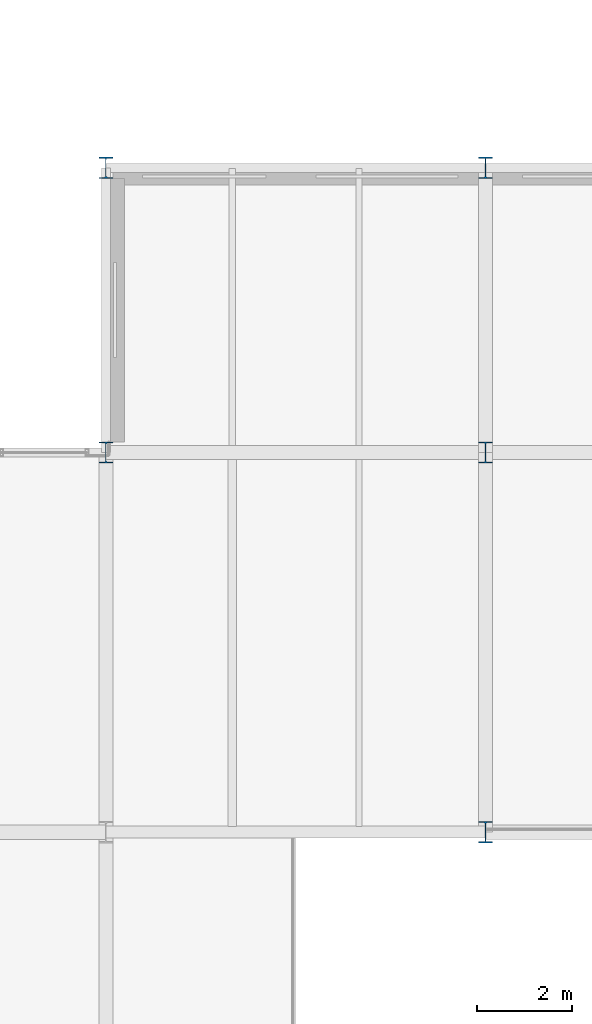
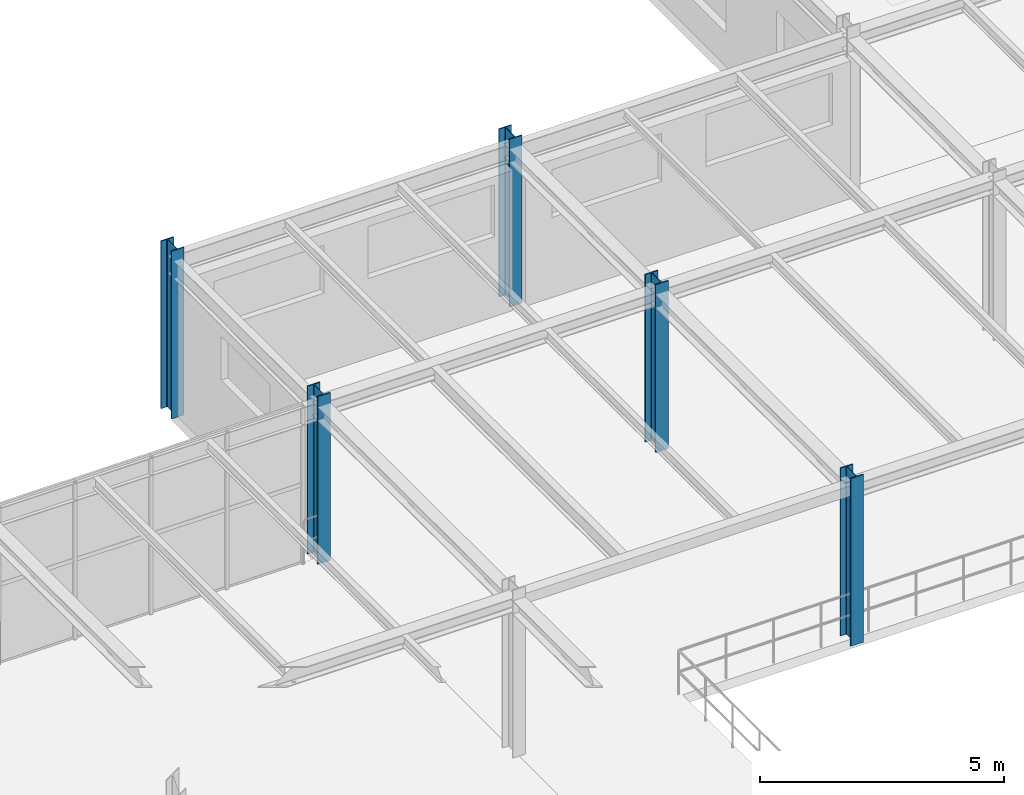
# One storey, part 5 of 124: 5 columns.
"""IFC4 building model written with IfcOpenShell, lengths in metres."""

from ifc_helpers import new_model, si_unit, direction, frame, origin, origin_2d, place, context, subcontext, project, spatial, i_section, extrude, material, material_profile, profile_set, type_object, element, save


model = new_model("IFC4")

# Units and contexts
model_context = context("Model", 3, precision=1e-05, world=origin(), true_north=direction((0.0, 1.0)))
body_context = subcontext(model_context, "Body", "Model", "MODEL_VIEW")
ifc_project = project(units=[si_unit("LENGTHUNIT", "METRE"), si_unit("AREAUNIT", "SQUARE_METRE"), si_unit("VOLUMEUNIT", "CUBIC_METRE"), si_unit("PLANEANGLEUNIT", "RADIAN"), si_unit("MASSUNIT", "GRAM", prefix="KILO")], contexts=[model_context])

# Site, building, storey
site_placement = place(None, origin())
site = spatial("IfcSite", under=ifc_project, at=site_placement, CompositionType="ELEMENT")
building_placement = place(site_placement, origin())
building = spatial("IfcBuilding", under=site, at=building_placement, Name="Sundkrona Museum", CompositionType="ELEMENT")
storey_placement = place(building_placement, frame((0.0, 0.0, 17.60009765625)))
storey = spatial("IfcBuildingStorey", under=building, at=storey_placement, Name="L03", CompositionType="ELEMENT", Elevation=17.60009765625)

# Columns
ifc_material = material(Name="Steel S355J2", Category="steel")
ifc_material_profile = material_profile(ifc_material, i_section(OverallWidth=0.300048828125, OverallDepth=0.449951171875, WebThickness=0.013916015625, FlangeThickness=0.02587890625, FilletRadius=0.027099609375, at=origin_2d()), Name="HEB 450")
ifc_profile_set = profile_set([ifc_material_profile], Name="Steel S355J2")
column_type = type_object("IfcColumnType", Name="C-HEB450", PredefinedType="COLUMN", material=ifc_profile_set)
for number, where, z_axis, x_axis, name in (
    (1, (120.0, 40.0, 0.0), (0.0, 0.0, 1.0), (1.0, 0.0, 0.0), "L03 Column F/16"),
    (2, (120.0, 46.0, 0.0), (0.0, 0.0, 1.0), (1.0, 0.0, 0.0), "L03 Column G/16"),
    (3, (128.0, 32.0, 0.0), (0.0, 0.0, 1.0), (1.0, 0.0, 0.0), "L03 Column E/17"),
    (4, (128.0, 40.0, 0.0), (0.0, 0.0, 1.0), (1.0, 0.0, 0.0), "L03 Column F/17"),
    (5, (128.0, 46.0, 0.0), (0.0, 0.0, 1.0), (1.0, 0.0, 0.0), "L03 Column G/17"),
):
    element("IfcColumn", number, at=place(storey_placement, frame(where, z_axis=z_axis, x_axis=x_axis)), inside=storey, type_object=column_type, Name=name, PredefinedType="COLUMN", context=body_context, shape_type="SweptSolid", body=[
        extrude(i_section(OverallWidth=0.300048828125, OverallDepth=0.449951171875, WebThickness=0.013916015625, FlangeThickness=0.02587890625, FilletRadius=0.027099609375, at=origin_2d()), origin(), (0.0, 0.0, 1.0), 4.199951171875),
    ])

save(model, "model.ifc")
